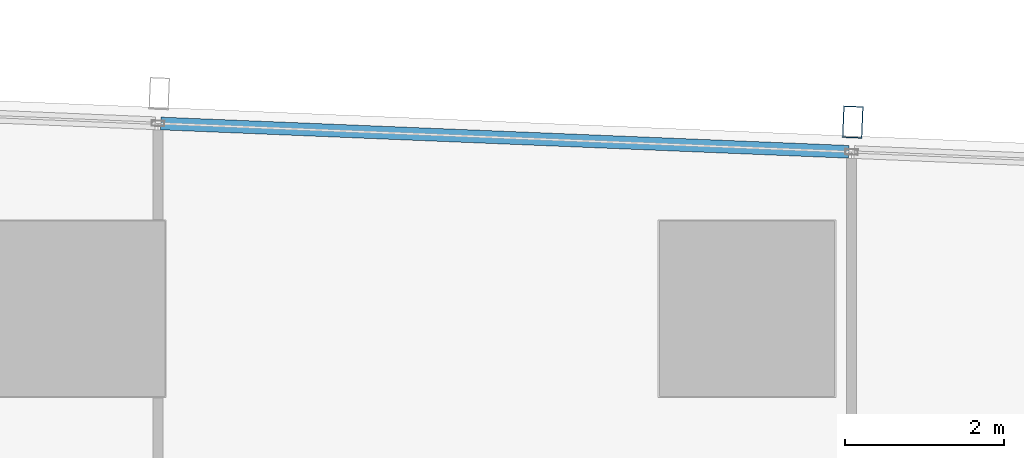
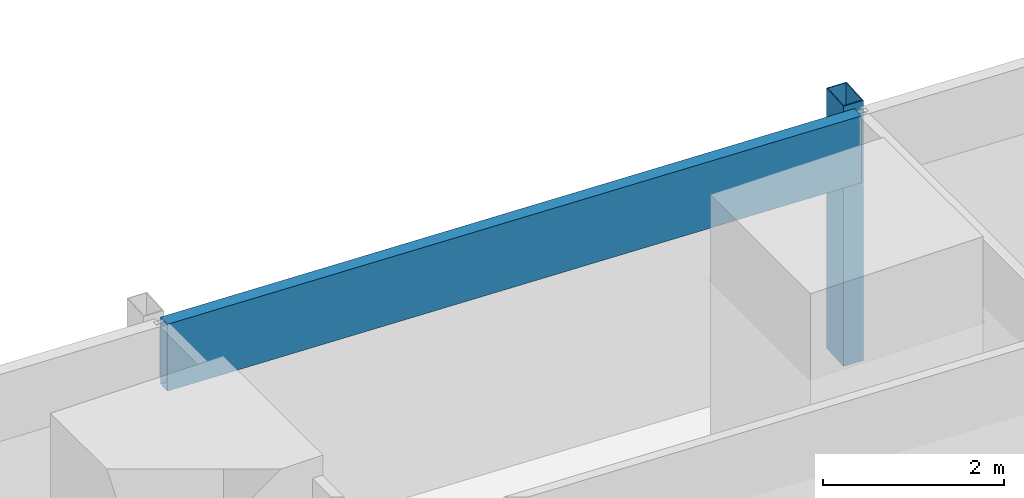
# One storey, part 24 of 44: 2 members, 1 element without a shape of its own.
"""IFC4 building model written with IfcOpenShell, lengths in metres."""

from ifc_helpers import new_model, si_unit, direction, frame, origin, origin_2d, place, context, subcontext, project, spatial, hollow_rectangle, extrude, material, material_profile, profile_set, type_object, element, aggregate, save


model = new_model("IFC4")

# Units and contexts
model_context = context("Model", 3, precision=1e-05, world=origin(), true_north=direction((0.0, 1.0)))
body_context = subcontext(model_context, "Body", "Model", "MODEL_VIEW")
ifc_project = project(units=[si_unit("LENGTHUNIT", "METRE"), si_unit("AREAUNIT", "SQUARE_METRE"), si_unit("VOLUMEUNIT", "CUBIC_METRE"), si_unit("PLANEANGLEUNIT", "RADIAN"), si_unit("MASSUNIT", "GRAM", prefix="KILO")], contexts=[model_context])

# Site, building, storey
site_placement = place(None, origin())
site = spatial("IfcSite", under=ifc_project, at=site_placement, CompositionType="ELEMENT")
building_placement = place(site_placement, origin())
building = spatial("IfcBuilding", under=site, at=building_placement, Name="Rekha Terrace Tower", CompositionType="ELEMENT")
storey_placement = place(building_placement, frame((0.0, 0.0, 47.89990234375)))
storey = spatial("IfcBuildingStorey", under=building, at=storey_placement, Name="L11", CompositionType="ELEMENT", Elevation=47.89990234375)

# Curtain wall, members
ifc_material_1 = material(Name="Aluminium framing", Category="aluminium")
curtain_wall_type = type_object("IfcCurtainWallType", Name="CW3 north unitised glazing", PredefinedType="USERDEFINED", material=ifc_material_1)
curtain_wall_placement = place(storey_placement, origin())
curtain_wall = element("IfcCurtainWall", 1, at=curtain_wall_placement, inside=storey, type_object=curtain_wall_type, Name="CW3 unitised curtain wall", ObjectType="UNITISED CURTAIN WALL", PredefinedType="USERDEFINED")
ifc_material_2 = material(Name="Steel S355 with fluorocarbon finish", Category="steel")
ifc_material_profile_1 = material_profile(ifc_material_2, hollow_rectangle(XDim=0.25, YDim=0.39990234375, WallThickness=0.012451171875, at=origin_2d()), Name="RHS400x250x12.5")
ifc_profile_set_1 = profile_set([ifc_material_profile_1], Name="Steel S355 with fluorocarbon finish")
member_type_1 = type_object("IfcMemberType", Name="BL1 facade blade RHS 400 x 250", PredefinedType="USERDEFINED", material=ifc_profile_set_1)
member_1_placement = place(storey_placement, frame((60.126953125, 61.140869140625, 0.0), z_axis=(0.0, 0.0, 1.0), x_axis=(-0.99915196507, 0.041174636562, 0.0)))
member_1 = element("IfcMember", 2, at=member_1_placement, type_object=member_type_1, Name="Facade blade", ObjectType="FACADE BLADE", PredefinedType="USERDEFINED", context=body_context, shape_type="SweptSolid", body=[
    extrude(hollow_rectangle(XDim=0.25, YDim=0.39990234375, WallThickness=0.012451171875, at=origin_2d()), origin(), (0.0, 0.0, 1.0), 3.5),
])
ifc_material_3 = material(Name="Insulated aluminium spandrel box", Category="aluminium")
ifc_material_profile_2 = material_profile(ifc_material_3, hollow_rectangle(XDim=0.159912109375, YDim=0.89990234375, WallThickness=0.0029296875, at=origin_2d()), Name="AL SPANDREL BOX 160x900")
ifc_profile_set_2 = profile_set([ifc_material_profile_2], Name="Insulated aluminium spandrel box")
member_type_2 = type_object("IfcMemberType", Name="CW3 spandrel transom 160 x 900", PredefinedType="USERDEFINED", material=ifc_profile_set_2)
member_2_placement = place(storey_placement, frame((60.07666015625, 60.767578125, 3.050048828125), z_axis=(-0.999152128669, 0.041170666459, 0.0), x_axis=(-0.041170666459, -0.999152128669, 0.0)))
member_2 = element("IfcMember", 3, at=member_2_placement, type_object=member_type_2, Name="CW3 spandrel transom 2", ObjectType="TRANSOM", PredefinedType="USERDEFINED", context=body_context, shape_type="SweptSolid", body=[
    extrude(hollow_rectangle(XDim=0.159912109375, YDim=0.89990234375, WallThickness=0.0029296875, at=origin_2d()), origin(), (0.0, 0.0, 1.0), 8.634033203125),
])
aggregate(curtain_wall, [member_2, member_1])

save(model, "model.ifc")
